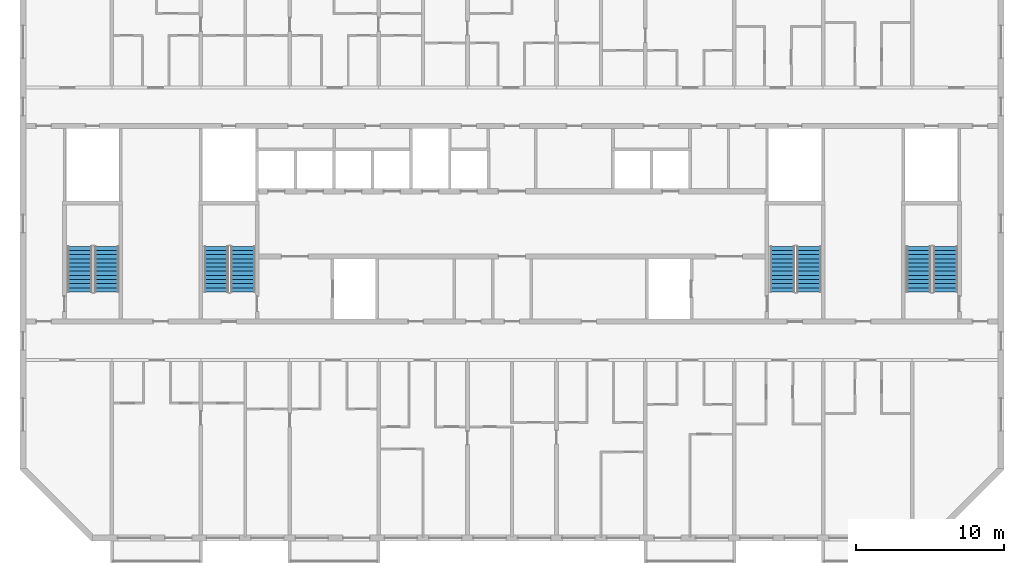
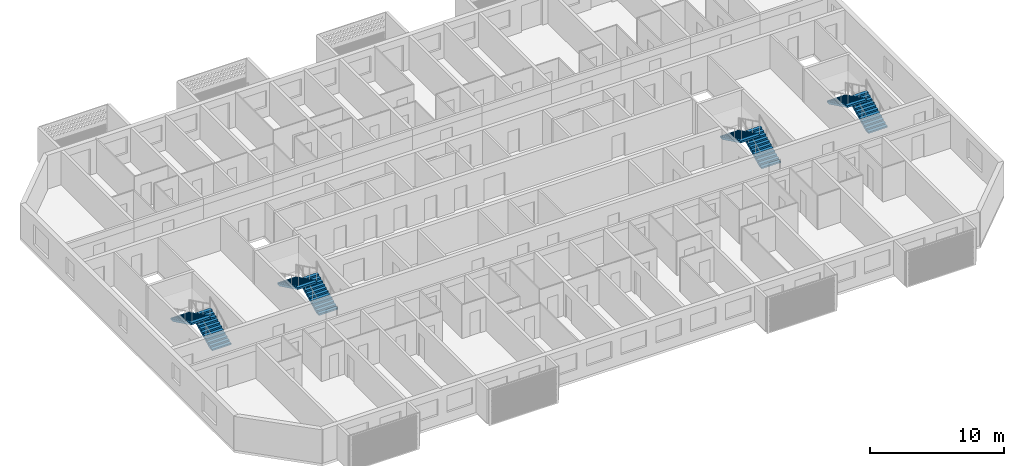
# One storey, part 12 of 26: 8 stair flights, 4 elements without a shape of their own.
"""IFC4 building model written with IfcOpenShell, lengths in metres."""

from ifc_helpers import new_model, si_unit, direction, frame, origin, place, context, subcontext, project, spatial, polyline, outline, extrude, material, layer, layer_set, type_object, element, aggregate, save


model = new_model("IFC4")

# Units and contexts
model_context = context("Model", 3, precision=1e-05, world=origin(), true_north=direction((0.0, 1.0)))
body_context = subcontext(model_context, "Body", "Model", "MODEL_VIEW")
ifc_project = project(units=[si_unit("LENGTHUNIT", "METRE"), si_unit("AREAUNIT", "SQUARE_METRE"), si_unit("VOLUMEUNIT", "CUBIC_METRE"), si_unit("PLANEANGLEUNIT", "RADIAN"), si_unit("MASSUNIT", "GRAM", prefix="KILO")], contexts=[model_context])

# Site, building, storey
site_placement = place(None, origin())
site = spatial("IfcSite", under=ifc_project, at=site_placement, CompositionType="ELEMENT")
building_placement = place(site_placement, origin())
building = spatial("IfcBuilding", under=site, at=building_placement, Name="Poui Terraces", CompositionType="ELEMENT")
storey_placement = place(building_placement, frame((0.0, 0.0, 241.199951171875)))
storey = spatial("IfcBuildingStorey", under=building, at=storey_placement, Name="L67", CompositionType="ELEMENT", Elevation=241.199951171875)

# Stair, stair flights
ifc_material = material(Name="Concrete 50 MPa", Category="concrete")
stair_type = type_object("IfcStairType", Name="EXIT STAIR 1650 50 MPA", PredefinedType="HALF_TURN_STAIR", material=ifc_material)
stair_1_placement = place(storey_placement, origin())
stair_1 = element("IfcStair", 1, at=stair_1_placement, inside=storey, type_object=stair_type, Name="L67 CORE STAIR EAST", PredefinedType="HALF_TURN_STAIR")
ifc_layer = layer(ifc_material, 0.14990234375)
ifc_layer_set = layer_set([ifc_layer], Name="Concrete 50 MPa")
stair_flight_type = type_object("IfcStairFlightType", Name="STAIR FLIGHT 12 RISERS 138 RISE 50 MPA", PredefinedType="STRAIGHT", material=ifc_layer_set)
stair_flight_1_placement = place(storey_placement, frame((71.050048828125, 16.60009765625, 0.0), z_axis=(0.0, 0.0, 1.0), x_axis=(0.0, 1.0, 0.0)))
stair_flight_1 = element("IfcStairFlight", 2, at=stair_flight_1_placement, type_object=stair_flight_type, Name="ST-CE flight 1", NumberOfRisers=12, NumberOfTreads=11, PredefinedType="STRAIGHT", RiserHeight=0.1375, TreadLength=0.28, context=body_context, shape_type="SweptSolid", body=[
    extrude(outline(polyline([(0.0, 0.0), (0.0, 0.137451171875), (0.280029296875, 0.137451171875), (0.280029296875, 0.27490234375), (0.56005859375, 0.27490234375), (0.56005859375, 0.41259765625), (0.840087890625, 0.41259765625), (0.840087890625, 0.550048828125), (1.1201171875, 0.550048828125), (1.1201171875, 0.6875), (1.39990234375, 0.6875), (1.39990234375, 0.824951171875), (1.679931640625, 0.824951171875), (1.679931640625, 0.96240234375), (1.9599609375, 0.96240234375), (1.9599609375, 1.10009765625), (2.239990234375, 1.10009765625), (2.239990234375, 1.237548828125), (2.52001953125, 1.237548828125), (2.52001953125, 1.375), (2.800048828125, 1.375), (2.800048828125, 1.512451171875), (3.080078125, 1.512451171875), (3.080078125, 1.64990234375), (3.080078125, 1.345458984375), (0.340087890625, 0.0), (0.0, 0.0)])), frame((0.0, 0.824951171875, 0.0), z_axis=(0.0, -1.0, 0.0), x_axis=(1.0, 0.0, 0.0)), (0.0, 0.0, 1.0), 1.64990234375),
])
stair_flight_2_placement = place(storey_placement, frame((69.25, 19.679931640625, 1.650146484375), z_axis=(0.0, 0.0, 1.0), x_axis=(0.0, -1.0, 0.0)))
stair_flight_2 = element("IfcStairFlight", 3, at=stair_flight_2_placement, type_object=stair_flight_type, Name="ST-CE flight 2", NumberOfRisers=12, NumberOfTreads=11, PredefinedType="STRAIGHT", RiserHeight=0.1375, TreadLength=0.28, context=body_context, shape_type="SweptSolid", body=[
    extrude(outline(polyline([(0.0, 0.0), (0.0, 0.137451171875), (0.280029296875, 0.137451171875), (0.280029296875, 0.27490234375), (0.56005859375, 0.27490234375), (0.56005859375, 0.41259765625), (0.840087890625, 0.41259765625), (0.840087890625, 0.550048828125), (1.1201171875, 0.550048828125), (1.1201171875, 0.6875), (1.39990234375, 0.6875), (1.39990234375, 0.824951171875), (1.679931640625, 0.824951171875), (1.679931640625, 0.96240234375), (1.9599609375, 0.96240234375), (1.9599609375, 1.10009765625), (2.239990234375, 1.10009765625), (2.239990234375, 1.237548828125), (2.52001953125, 1.237548828125), (2.52001953125, 1.375), (2.800048828125, 1.375), (2.800048828125, 1.512451171875), (3.080078125, 1.512451171875), (3.080078125, 1.64990234375), (3.080078125, 1.345458984375), (0.340087890625, 0.0), (0.0, 0.0)])), frame((0.0, 0.824951171875, 0.0), z_axis=(0.0, -1.0, 0.0), x_axis=(1.0, 0.0, 0.0)), (0.0, 0.0, 1.0), 1.64990234375),
])
aggregate(stair_1, [stair_flight_1, stair_flight_2])

stair_2_placement = place(storey_placement, origin())
stair_2 = element("IfcStair", 4, at=stair_2_placement, inside=storey, type_object=stair_type, Name="L67 CORE STAIR WEST", PredefinedType="HALF_TURN_STAIR")
stair_flight_3_placement = place(storey_placement, frame((32.85009765625, 16.60009765625, 0.0), z_axis=(0.0, 0.0, 1.0), x_axis=(0.0, 1.0, 0.0)))
stair_flight_3 = element("IfcStairFlight", 5, at=stair_flight_3_placement, type_object=stair_flight_type, Name="ST-CW flight 1", NumberOfRisers=12, NumberOfTreads=11, PredefinedType="STRAIGHT", RiserHeight=0.1375, TreadLength=0.28, context=body_context, shape_type="SweptSolid", body=[
    extrude(outline(polyline([(0.0, 0.0), (0.0, 0.137451171875), (0.280029296875, 0.137451171875), (0.280029296875, 0.27490234375), (0.56005859375, 0.27490234375), (0.56005859375, 0.41259765625), (0.840087890625, 0.41259765625), (0.840087890625, 0.550048828125), (1.1201171875, 0.550048828125), (1.1201171875, 0.6875), (1.39990234375, 0.6875), (1.39990234375, 0.824951171875), (1.679931640625, 0.824951171875), (1.679931640625, 0.96240234375), (1.9599609375, 0.96240234375), (1.9599609375, 1.10009765625), (2.239990234375, 1.10009765625), (2.239990234375, 1.237548828125), (2.52001953125, 1.237548828125), (2.52001953125, 1.375), (2.800048828125, 1.375), (2.800048828125, 1.512451171875), (3.080078125, 1.512451171875), (3.080078125, 1.64990234375), (3.080078125, 1.345458984375), (0.340087890625, 0.0), (0.0, 0.0)])), frame((0.0, 0.824951171875, 0.0), z_axis=(0.0, -1.0, 0.0), x_axis=(1.0, 0.0, 0.0)), (0.0, 0.0, 1.0), 1.64990234375),
])
stair_flight_4_placement = place(storey_placement, frame((31.050048828125, 19.679931640625, 1.650146484375), z_axis=(0.0, 0.0, 1.0), x_axis=(0.0, -1.0, 0.0)))
stair_flight_4 = element("IfcStairFlight", 6, at=stair_flight_4_placement, type_object=stair_flight_type, Name="ST-CW flight 2", NumberOfRisers=12, NumberOfTreads=11, PredefinedType="STRAIGHT", RiserHeight=0.1375, TreadLength=0.28, context=body_context, shape_type="SweptSolid", body=[
    extrude(outline(polyline([(0.0, 0.0), (0.0, 0.137451171875), (0.280029296875, 0.137451171875), (0.280029296875, 0.27490234375), (0.56005859375, 0.27490234375), (0.56005859375, 0.41259765625), (0.840087890625, 0.41259765625), (0.840087890625, 0.550048828125), (1.1201171875, 0.550048828125), (1.1201171875, 0.6875), (1.39990234375, 0.6875), (1.39990234375, 0.824951171875), (1.679931640625, 0.824951171875), (1.679931640625, 0.96240234375), (1.9599609375, 0.96240234375), (1.9599609375, 1.10009765625), (2.239990234375, 1.10009765625), (2.239990234375, 1.237548828125), (2.52001953125, 1.237548828125), (2.52001953125, 1.375), (2.800048828125, 1.375), (2.800048828125, 1.512451171875), (3.080078125, 1.512451171875), (3.080078125, 1.64990234375), (3.080078125, 1.345458984375), (0.340087890625, 0.0), (0.0, 0.0)])), frame((0.0, 0.824951171875, 0.0), z_axis=(0.0, -1.0, 0.0), x_axis=(1.0, 0.0, 0.0)), (0.0, 0.0, 1.0), 1.64990234375),
])
aggregate(stair_2, [stair_flight_3, stair_flight_4])

stair_3_placement = place(storey_placement, origin())
stair_3 = element("IfcStair", 7, at=stair_3_placement, inside=storey, type_object=stair_type, Name="L67 TIP STAIR EAST", PredefinedType="HALF_TURN_STAIR")
stair_flight_5_placement = place(storey_placement, frame((80.25, 16.60009765625, 0.0), z_axis=(0.0, 0.0, 1.0), x_axis=(0.0, 1.0, 0.0)))
stair_flight_5 = element("IfcStairFlight", 8, at=stair_flight_5_placement, type_object=stair_flight_type, Name="ST-E flight 1", NumberOfRisers=12, NumberOfTreads=11, PredefinedType="STRAIGHT", RiserHeight=0.1375, TreadLength=0.28, context=body_context, shape_type="SweptSolid", body=[
    extrude(outline(polyline([(0.0, 0.0), (0.0, 0.137451171875), (0.280029296875, 0.137451171875), (0.280029296875, 0.27490234375), (0.56005859375, 0.27490234375), (0.56005859375, 0.41259765625), (0.840087890625, 0.41259765625), (0.840087890625, 0.550048828125), (1.1201171875, 0.550048828125), (1.1201171875, 0.6875), (1.39990234375, 0.6875), (1.39990234375, 0.824951171875), (1.679931640625, 0.824951171875), (1.679931640625, 0.96240234375), (1.9599609375, 0.96240234375), (1.9599609375, 1.10009765625), (2.239990234375, 1.10009765625), (2.239990234375, 1.237548828125), (2.52001953125, 1.237548828125), (2.52001953125, 1.375), (2.800048828125, 1.375), (2.800048828125, 1.512451171875), (3.080078125, 1.512451171875), (3.080078125, 1.64990234375), (3.080078125, 1.345458984375), (0.340087890625, 0.0), (0.0, 0.0)])), frame((0.0, 0.824951171875, 0.0), z_axis=(0.0, -1.0, 0.0), x_axis=(1.0, 0.0, 0.0)), (0.0, 0.0, 1.0), 1.64990234375),
])
stair_flight_6_placement = place(storey_placement, frame((78.449951171875, 19.679931640625, 1.650146484375), z_axis=(0.0, 0.0, 1.0), x_axis=(0.0, -1.0, 0.0)))
stair_flight_6 = element("IfcStairFlight", 9, at=stair_flight_6_placement, type_object=stair_flight_type, Name="ST-E flight 2", NumberOfRisers=12, NumberOfTreads=11, PredefinedType="STRAIGHT", RiserHeight=0.1375, TreadLength=0.28, context=body_context, shape_type="SweptSolid", body=[
    extrude(outline(polyline([(0.0, 0.0), (0.0, 0.137451171875), (0.280029296875, 0.137451171875), (0.280029296875, 0.27490234375), (0.56005859375, 0.27490234375), (0.56005859375, 0.41259765625), (0.840087890625, 0.41259765625), (0.840087890625, 0.550048828125), (1.1201171875, 0.550048828125), (1.1201171875, 0.6875), (1.39990234375, 0.6875), (1.39990234375, 0.824951171875), (1.679931640625, 0.824951171875), (1.679931640625, 0.96240234375), (1.9599609375, 0.96240234375), (1.9599609375, 1.10009765625), (2.239990234375, 1.10009765625), (2.239990234375, 1.237548828125), (2.52001953125, 1.237548828125), (2.52001953125, 1.375), (2.800048828125, 1.375), (2.800048828125, 1.512451171875), (3.080078125, 1.512451171875), (3.080078125, 1.64990234375), (3.080078125, 1.345458984375), (0.340087890625, 0.0), (0.0, 0.0)])), frame((0.0, 0.824951171875, 0.0), z_axis=(0.0, -1.0, 0.0), x_axis=(1.0, 0.0, 0.0)), (0.0, 0.0, 1.0), 1.64990234375),
])
aggregate(stair_3, [stair_flight_5, stair_flight_6])

stair_4_placement = place(storey_placement, origin())
stair_4 = element("IfcStair", 10, at=stair_4_placement, inside=storey, type_object=stair_type, Name="L67 TIP STAIR WEST", PredefinedType="HALF_TURN_STAIR")
stair_flight_7_placement = place(storey_placement, frame((23.64990234375, 16.60009765625, 0.0), z_axis=(0.0, 0.0, 1.0), x_axis=(0.0, 1.0, 0.0)))
stair_flight_7 = element("IfcStairFlight", 11, at=stair_flight_7_placement, type_object=stair_flight_type, Name="ST-W flight 1", NumberOfRisers=12, NumberOfTreads=11, PredefinedType="STRAIGHT", RiserHeight=0.1375, TreadLength=0.28, context=body_context, shape_type="SweptSolid", body=[
    extrude(outline(polyline([(0.0, 0.0), (0.0, 0.137451171875), (0.280029296875, 0.137451171875), (0.280029296875, 0.27490234375), (0.56005859375, 0.27490234375), (0.56005859375, 0.41259765625), (0.840087890625, 0.41259765625), (0.840087890625, 0.550048828125), (1.1201171875, 0.550048828125), (1.1201171875, 0.6875), (1.39990234375, 0.6875), (1.39990234375, 0.824951171875), (1.679931640625, 0.824951171875), (1.679931640625, 0.96240234375), (1.9599609375, 0.96240234375), (1.9599609375, 1.10009765625), (2.239990234375, 1.10009765625), (2.239990234375, 1.237548828125), (2.52001953125, 1.237548828125), (2.52001953125, 1.375), (2.800048828125, 1.375), (2.800048828125, 1.512451171875), (3.080078125, 1.512451171875), (3.080078125, 1.64990234375), (3.080078125, 1.345458984375), (0.340087890625, 0.0), (0.0, 0.0)])), frame((0.0, 0.824951171875, 0.0), z_axis=(0.0, -1.0, 0.0), x_axis=(1.0, 0.0, 0.0)), (0.0, 0.0, 1.0), 1.64990234375),
])
stair_flight_8_placement = place(storey_placement, frame((21.85009765625, 19.679931640625, 1.650146484375), z_axis=(0.0, 0.0, 1.0), x_axis=(0.0, -1.0, 0.0)))
stair_flight_8 = element("IfcStairFlight", 12, at=stair_flight_8_placement, type_object=stair_flight_type, Name="ST-W flight 2", NumberOfRisers=12, NumberOfTreads=11, PredefinedType="STRAIGHT", RiserHeight=0.1375, TreadLength=0.28, context=body_context, shape_type="SweptSolid", body=[
    extrude(outline(polyline([(0.0, 0.0), (0.0, 0.137451171875), (0.280029296875, 0.137451171875), (0.280029296875, 0.27490234375), (0.56005859375, 0.27490234375), (0.56005859375, 0.41259765625), (0.840087890625, 0.41259765625), (0.840087890625, 0.550048828125), (1.1201171875, 0.550048828125), (1.1201171875, 0.6875), (1.39990234375, 0.6875), (1.39990234375, 0.824951171875), (1.679931640625, 0.824951171875), (1.679931640625, 0.96240234375), (1.9599609375, 0.96240234375), (1.9599609375, 1.10009765625), (2.239990234375, 1.10009765625), (2.239990234375, 1.237548828125), (2.52001953125, 1.237548828125), (2.52001953125, 1.375), (2.800048828125, 1.375), (2.800048828125, 1.512451171875), (3.080078125, 1.512451171875), (3.080078125, 1.64990234375), (3.080078125, 1.345458984375), (0.340087890625, 0.0), (0.0, 0.0)])), frame((0.0, 0.824951171875, 0.0), z_axis=(0.0, -1.0, 0.0), x_axis=(1.0, 0.0, 0.0)), (0.0, 0.0, 1.0), 1.64990234375),
])
aggregate(stair_4, [stair_flight_7, stair_flight_8])

save(model, "model.ifc")
